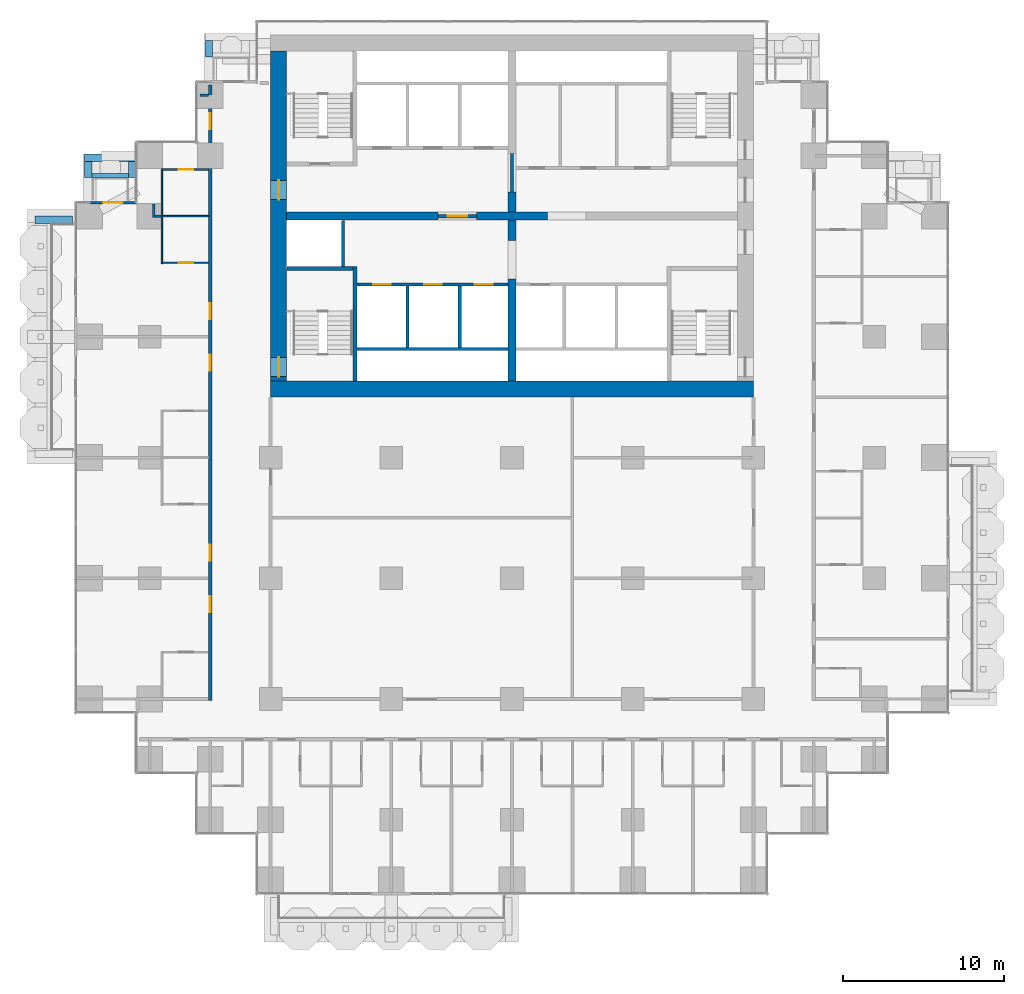
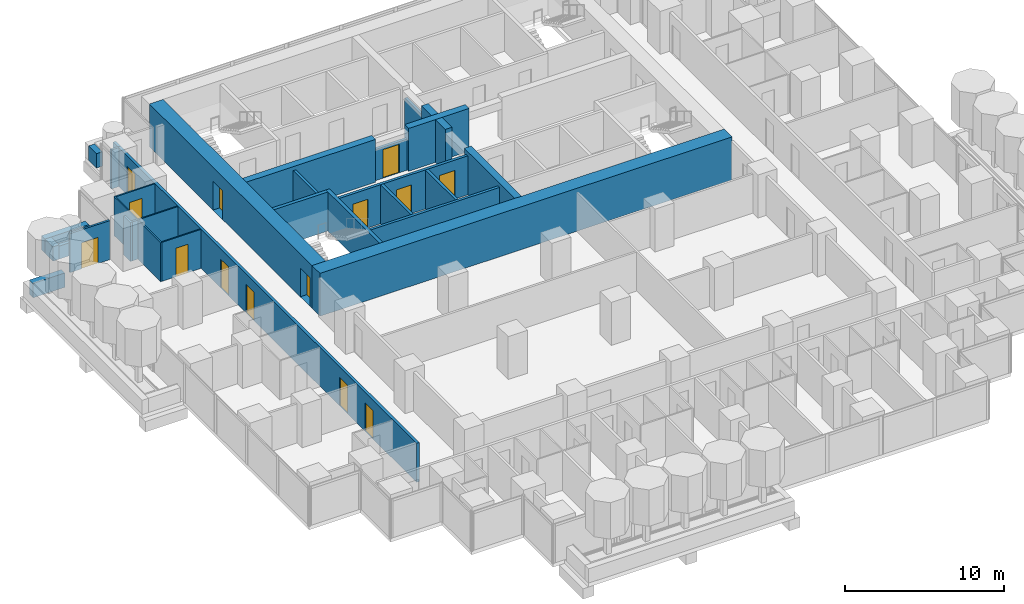
# One storey, part 12 of 17: 32 walls, 14 doors, 14 openings.
"""IFC4 building model written with IfcOpenShell, lengths in metres."""

from ifc_helpers import new_model, si_unit, direction, frame, frame_2d, origin, place, context, subcontext, project, spatial, rectangle, extrude, material, layer, layer_set, type_object, element, fill, save


model = new_model("IFC4")

# Units and contexts
model_context = context("Model", 3, precision=1e-05, world=origin(), true_north=direction((0.0, 1.0)))
body_context = subcontext(model_context, "Body", "Model", "MODEL_VIEW")
ifc_project = project(units=[si_unit("LENGTHUNIT", "METRE"), si_unit("AREAUNIT", "SQUARE_METRE"), si_unit("VOLUMEUNIT", "CUBIC_METRE"), si_unit("PLANEANGLEUNIT", "RADIAN"), si_unit("MASSUNIT", "GRAM", prefix="KILO")], contexts=[model_context])

# Site, building, storey
site_placement = place(None, origin())
site = spatial("IfcSite", under=ifc_project, at=site_placement, CompositionType="ELEMENT")
building_placement = place(site_placement, origin())
building = spatial("IfcBuilding", under=site, at=building_placement, Name="Pilkhan Gate Tower", CompositionType="ELEMENT")
storey_placement = place(building_placement, frame((0.0, 0.0, 49.39990234375)))
storey = spatial("IfcBuildingStorey", under=building, at=storey_placement, Name="L09", CompositionType="ELEMENT", Elevation=49.39990234375)

# Walls
ifc_material_1 = material(Name="Concrete C40/50", Category="concrete")
ifc_layer_1 = layer(ifc_material_1, 0.25)
ifc_layer_set_1 = layer_set([ifc_layer_1], Name="Balcony planter BP250")
wall_type_1 = type_object("IfcWallType", Name="Balcony planter BP250", PredefinedType="USERDEFINED", material=ifc_layer_set_1)
wall_1_placement = place(storey_placement, frame((48.89990234375, 85.02490234375, 0.0), z_axis=(0.0, 0.0, 1.0), x_axis=(1.0, 0.0, 0.0)))
element("IfcWall", 1, at=wall_1_placement, inside=storey, type_object=wall_type_1, Name="Balcony planter L09 N", ObjectType="BALCONY PLANTER", PredefinedType="USERDEFINED", context=body_context, shape_type="SweptSolid", body=[
    extrude(rectangle(XDim=2.280029296875, YDim=0.25, at=frame_2d((1.14013671875, 0.0))), origin(), (0.0, 0.0, 1.0), 1.0),
])
ifc_material_2 = material(Name="Board-marked Concrete C40/50", Category="concrete")
ifc_layer_2 = layer(ifc_material_2, 0.449951171875)
ifc_layer_set_2 = layer_set([ifc_layer_2], Name="Balcony planter lip BL450")
wall_type_2 = type_object("IfcWallType", Name="Balcony planter lip BL450", PredefinedType="USERDEFINED", material=ifc_layer_set_2)
wall_2_placement = place(storey_placement, frame((56.175048828125, 92.39990234375, 0.0), z_axis=(0.0, 0.0, 1.0), x_axis=(0.0, 1.0, 0.0)))
element("IfcWall", 2, at=wall_2_placement, inside=storey, type_object=wall_type_2, Name="Balcony planter L09 N", ObjectType="BALCONY PLANTER", PredefinedType="USERDEFINED", context=body_context, shape_type="SweptSolid", body=[
    extrude(rectangle(XDim=1.0, YDim=0.449951171875, at=frame_2d((0.5, 0.0))), origin(), (0.0, 0.0, 1.0), 1.10009765625),
])
wall_3_placement = place(storey_placement, frame((48.449951171875, 86.125, 0.0), z_axis=(0.0, 0.0, 1.0), x_axis=(1.0, 0.0, 0.0)))
element("IfcWall", 3, at=wall_3_placement, inside=storey, type_object=wall_type_2, Name="Balcony planter L09 N", ObjectType="BALCONY PLANTER", PredefinedType="USERDEFINED", context=body_context, shape_type="SweptSolid", body=[
    extrude(rectangle(XDim=3.179931640625, YDim=0.449951171875, at=frame_2d((1.58984375, 0.0))), origin(), (0.0, 0.0, 1.0), 1.10009765625),
])
for number, where, z_axis, x_axis, name in (
    (4, (48.675048828125, 84.89990234375, 0.0), (0.0, 0.0, 1.0), (0.0, 1.0, 0.0), "Balcony planter L09 N"),
    (5, (51.405029296875, 84.89990234375, 0.0), (0.0, 0.0, 1.0), (0.0, 1.0, 0.0), "Balcony planter L09 N"),
):
    element("IfcWall", number, at=place(storey_placement, frame(where, z_axis=z_axis, x_axis=x_axis)), inside=storey, type_object=wall_type_2, Name=name, ObjectType="BALCONY PLANTER", PredefinedType="USERDEFINED", context=body_context, shape_type="SweptSolid", body=[
        extrude(rectangle(XDim=1.0, YDim=0.449951171875, at=frame_2d((0.5, 0.0))), origin(), (0.0, 0.0, 1.0), 1.10009765625),
    ])
wall_4_placement = place(storey_placement, frame((47.679931640625, 82.27490234375, 0.0), z_axis=(0.0, 0.0, 1.0), x_axis=(-1.0, 0.0, 0.0)))
element("IfcWall", 6, at=wall_4_placement, inside=storey, type_object=wall_type_2, Name="Balcony planter L09 W", ObjectType="BALCONY PLANTER", PredefinedType="USERDEFINED", context=body_context, shape_type="SweptSolid", body=[
    extrude(rectangle(XDim=2.329833984375, YDim=0.449951171875, at=frame_2d((1.1650390625, 0.0))), origin(), (0.0, 0.0, 1.0), 1.10009765625),
])
ifc_material_3 = material(Name="Concrete C70/85", Category="concrete")
ifc_layer_3 = layer(ifc_material_3, 1.0)
ifc_layer_set_3 = layer_set([ifc_layer_3], Name="Core wall CW1000 C70/85")
wall_type_3 = type_object("IfcWallType", Name="Core wall CW1000 C70/85", PredefinedType="SHEAR", material=ifc_layer_set_3)
wall_5_placement = place(storey_placement, frame((60.0, 71.75, 0.0), z_axis=(0.0, 0.0, 1.0), x_axis=(1.0, 0.0, 0.0)))
element("IfcWall", 7, at=wall_5_placement, inside=storey, type_object=wall_type_3, Name="Core wall S L09", PredefinedType="SHEAR", context=body_context, shape_type="SweptSolid", body=[
    extrude(rectangle(XDim=30.0, YDim=1.0, at=frame_2d((15.0, 0.0))), origin(), (0.0, 0.0, 1.0), 3.300048828125),
])

# Wall, openings, doors
wall_6_placement = place(storey_placement, frame((60.5, 92.75, 0.0), z_axis=(0.0, 0.0, 1.0), x_axis=(0.0, -1.0, 0.0)))
wall_6 = element("IfcWall", 8, at=wall_6_placement, inside=storey, type_object=wall_type_3, Name="Core wall W L09", PredefinedType="SHEAR", context=body_context, shape_type="SweptSolid", body=[
    extrude(rectangle(XDim=20.5, YDim=1.0, at=frame_2d((10.25, 0.0))), origin(), (0.0, 0.0, 1.0), 3.300048828125),
])
opening_1_placement = place(wall_6_placement, frame((19.02490234375, 0.0, 0.0)))
opening_1 = element("IfcOpeningElement", 9, at=opening_1_placement, cuts=wall_6, Name="Opening L09-04", PredefinedType="OPENING", context=body_context, shape_type="SweptSolid", body=[
    extrude(rectangle(XDim=1.199951171875, YDim=2.199951171875, at=frame_2d((0.60009765625, 1.10009765625))), frame((0.0, 0.510009765625, 0.0), z_axis=(0.0, -1.0, 0.0), x_axis=(1.0, 0.0, 0.0)), (0.0, 0.0, 1.0), 1.02001953125),
])
opening_2_placement = place(wall_6_placement, frame((8.02490234375, 0.0, 0.0)))
opening_2 = element("IfcOpeningElement", 10, at=opening_2_placement, cuts=wall_6, Name="Opening L09-47", PredefinedType="OPENING", context=body_context, shape_type="SweptSolid", body=[
    extrude(rectangle(XDim=1.199951171875, YDim=2.199951171875, at=frame_2d((0.60009765625, 1.10009765625))), frame((0.0, 0.510009765625, 0.0), z_axis=(0.0, -1.0, 0.0), x_axis=(1.0, 0.0, 0.0)), (0.0, 0.0, 1.0), 1.02001953125),
])
ifc_material_4 = material(Name="Steel door, 120 minute fire resisting, self-closing", Category="steel")
door_type_1 = type_object("IfcDoorType", Name="Firefighting lobby door D10 1200x2200", OperationType="SINGLE_SWING_LEFT", PredefinedType="DOOR", material=ifc_material_4)
door_1_placement = place(opening_2_placement, origin())
door_1 = element("IfcDoor", 11, at=door_1_placement, inside=storey, type_object=door_type_1, Name="Core door", OperationType="SINGLE_SWING_LEFT", OverallHeight=2.199951171875, OverallWidth=1.199951171875, PredefinedType="DOOR", context=body_context, shape_type="SweptSolid", body=[
    extrude(rectangle(XDim=1.199951171875, YDim=2.199951171875, at=frame_2d((0.60009765625, 1.10009765625))), frame((0.0, 0.02490234375, 0.0), z_axis=(0.0, -1.0, 0.0), x_axis=(1.0, 0.0, 0.0)), (0.0, 0.0, 1.0), 0.050048828125),
])
fill(opening_2, door_1)
ifc_material_5 = material(Name="Steel door, 120 minute fire resisting, panic bar", Category="steel")
door_type_2 = type_object("IfcDoorType", Name="Stair door D11 1200x2200", OperationType="SINGLE_SWING_LEFT", PredefinedType="DOOR", material=ifc_material_5)
door_2_placement = place(opening_1_placement, origin())
door_2 = element("IfcDoor", 12, at=door_2_placement, inside=storey, type_object=door_type_2, Name="Stair ST2 door", OperationType="SINGLE_SWING_LEFT", OverallHeight=2.199951171875, OverallWidth=1.199951171875, PredefinedType="DOOR", context=body_context, shape_type="SweptSolid", body=[
    extrude(rectangle(XDim=1.199951171875, YDim=2.199951171875, at=frame_2d((0.60009765625, 1.10009765625))), frame((0.0, 0.02490234375, 0.0), z_axis=(0.0, -1.0, 0.0), x_axis=(1.0, 0.0, 0.0)), (0.0, 0.0, 1.0), 0.050048828125),
])
fill(opening_1, door_2)

ifc_material_6 = material(Name="Dense blockwork", Category="masonry")
ifc_layer_4 = layer(ifc_material_6, 0.199951171875)
ifc_layer_set_4 = layer_set([ifc_layer_4], Name="Corridor wall FW200")
wall_type_4 = type_object("IfcWallType", Name="Corridor wall FW200", PredefinedType="PARTITIONING", material=ifc_layer_set_4)
wall_7_placement = place(storey_placement, frame((56.25, 52.39990234375, 0.0), z_axis=(0.0, 0.0, 1.0), x_axis=(0.0, 1.0, 0.0)))
wall_7 = element("IfcWall", 13, at=wall_7_placement, inside=storey, type_object=wall_type_4, Name="Partition L09", PredefinedType="PARTITIONING", context=body_context, shape_type="SweptSolid", body=[
    extrude(rectangle(XDim=37.675048828125, YDim=0.199951171875, at=frame_2d((18.83740234375, 0.0))), origin(), (0.0, 0.0, 1.0), 3.0),
])
opening_3_placement = place(wall_7_placement, frame((5.5, 0.0, 0.0)))
opening_3 = element("IfcOpeningElement", 14, at=opening_3_placement, cuts=wall_7, Name="Opening L09-26", PredefinedType="OPENING", context=body_context, shape_type="SweptSolid", body=[
    extrude(rectangle(XDim=1.0, YDim=2.199951171875, at=frame_2d((0.5, 1.10009765625))), frame((0.0, 0.10986328125, 0.0), z_axis=(0.0, -1.0, 0.0), x_axis=(1.0, 0.0, 0.0)), (0.0, 0.0, 1.0), 0.219970703125),
])
opening_4_placement = place(wall_7_placement, frame((8.699951171875, 0.0, 0.0)))
opening_4 = element("IfcOpeningElement", 15, at=opening_4_placement, cuts=wall_7, Name="Opening L09-28", PredefinedType="OPENING", context=body_context, shape_type="SweptSolid", body=[
    extrude(rectangle(XDim=1.0, YDim=2.199951171875, at=frame_2d((0.5, 1.10009765625))), frame((0.0, 0.10986328125, 0.0), z_axis=(0.0, -1.0, 0.0), x_axis=(1.0, 0.0, 0.0)), (0.0, 0.0, 1.0), 0.219970703125),
])
opening_5_placement = place(wall_7_placement, frame((20.5, 0.0, 0.0)))
opening_5 = element("IfcOpeningElement", 16, at=opening_5_placement, cuts=wall_7, Name="Opening L09-30", PredefinedType="OPENING", context=body_context, shape_type="SweptSolid", body=[
    extrude(rectangle(XDim=1.0, YDim=2.199951171875, at=frame_2d((0.5, 1.10009765625))), frame((0.0, 0.10986328125, 0.0), z_axis=(0.0, -1.0, 0.0), x_axis=(1.0, 0.0, 0.0)), (0.0, 0.0, 1.0), 0.219970703125),
])
opening_6_placement = place(wall_7_placement, frame((23.699951171875, 0.0, 0.0)))
opening_6 = element("IfcOpeningElement", 17, at=opening_6_placement, cuts=wall_7, Name="Opening L09-32", PredefinedType="OPENING", context=body_context, shape_type="SweptSolid", body=[
    extrude(rectangle(XDim=1.0, YDim=2.199951171875, at=frame_2d((0.5, 1.10009765625))), frame((0.0, 0.10986328125, 0.0), z_axis=(0.0, -1.0, 0.0), x_axis=(1.0, 0.0, 0.0)), (0.0, 0.0, 1.0), 0.219970703125),
])
opening_7_placement = place(wall_7_placement, frame((35.5, 0.0, 0.0)))
opening_7 = element("IfcOpeningElement", 18, at=opening_7_placement, cuts=wall_7, Name="Opening L09-34", PredefinedType="OPENING", context=body_context, shape_type="SweptSolid", body=[
    extrude(rectangle(XDim=1.0, YDim=2.199951171875, at=frame_2d((0.5, 1.10009765625))), frame((0.0, 0.10986328125, 0.0), z_axis=(0.0, -1.0, 0.0), x_axis=(1.0, 0.0, 0.0)), (0.0, 0.0, 1.0), 0.219970703125),
])
ifc_material_7 = material(Name="Timber flush door, 30 minute fire resisting", Category="wood")
door_type_3 = type_object("IfcDoorType", Name="Guest room door D01 1000x2200", OperationType="SINGLE_SWING_LEFT", PredefinedType="DOOR", material=ifc_material_7)
door_3_placement = place(opening_3_placement, origin())
door_3 = element("IfcDoor", 19, at=door_3_placement, inside=storey, type_object=door_type_3, Name="Guest room door", OperationType="SINGLE_SWING_LEFT", OverallHeight=2.199951171875, OverallWidth=1.0, PredefinedType="DOOR", context=body_context, shape_type="SweptSolid", body=[
    extrude(rectangle(XDim=1.0, YDim=2.199951171875, at=frame_2d((0.5, 1.10009765625))), frame((0.0, 0.02490234375, 0.0), z_axis=(0.0, -1.0, 0.0), x_axis=(1.0, 0.0, 0.0)), (0.0, 0.0, 1.0), 0.050048828125),
])
fill(opening_3, door_3)
door_4_placement = place(opening_4_placement, origin())
door_4 = element("IfcDoor", 20, at=door_4_placement, inside=storey, type_object=door_type_3, Name="Guest room door", OperationType="SINGLE_SWING_LEFT", OverallHeight=2.199951171875, OverallWidth=1.0, PredefinedType="DOOR", context=body_context, shape_type="SweptSolid", body=[
    extrude(rectangle(XDim=1.0, YDim=2.199951171875, at=frame_2d((0.5, 1.10009765625))), frame((0.0, 0.02490234375, 0.0), z_axis=(0.0, -1.0, 0.0), x_axis=(1.0, 0.0, 0.0)), (0.0, 0.0, 1.0), 0.050048828125),
])
fill(opening_4, door_4)
door_5_placement = place(opening_5_placement, origin())
door_5 = element("IfcDoor", 21, at=door_5_placement, inside=storey, type_object=door_type_3, Name="Guest room door", OperationType="SINGLE_SWING_RIGHT", OverallHeight=2.199951171875, OverallWidth=1.0, PredefinedType="DOOR", context=body_context, shape_type="SweptSolid", body=[
    extrude(rectangle(XDim=1.0, YDim=2.199951171875, at=frame_2d((0.5, 1.10009765625))), frame((0.0, 0.02490234375, 0.0), z_axis=(0.0, -1.0, 0.0), x_axis=(1.0, 0.0, 0.0)), (0.0, 0.0, 1.0), 0.050048828125),
])
fill(opening_5, door_5)
door_6_placement = place(opening_6_placement, origin())
door_6 = element("IfcDoor", 22, at=door_6_placement, inside=storey, type_object=door_type_3, Name="Guest room door", OperationType="SINGLE_SWING_LEFT", OverallHeight=2.199951171875, OverallWidth=1.0, PredefinedType="DOOR", context=body_context, shape_type="SweptSolid", body=[
    extrude(rectangle(XDim=1.0, YDim=2.199951171875, at=frame_2d((0.5, 1.10009765625))), frame((0.0, 0.02490234375, 0.0), z_axis=(0.0, -1.0, 0.0), x_axis=(1.0, 0.0, 0.0)), (0.0, 0.0, 1.0), 0.050048828125),
])
fill(opening_6, door_6)
door_7_placement = place(opening_7_placement, origin())
door_7 = element("IfcDoor", 23, at=door_7_placement, inside=storey, type_object=door_type_3, Name="Guest room door", OperationType="SINGLE_SWING_RIGHT", OverallHeight=2.199951171875, OverallWidth=1.0, PredefinedType="DOOR", context=body_context, shape_type="SweptSolid", body=[
    extrude(rectangle(XDim=1.0, YDim=2.199951171875, at=frame_2d((0.5, 1.10009765625))), frame((0.0, 0.02490234375, 0.0), z_axis=(0.0, -1.0, 0.0), x_axis=(1.0, 0.0, 0.0)), (0.0, 0.0, 1.0), 0.050048828125),
])
fill(opening_7, door_7)

# Wall
wall_8_placement = place(storey_placement, frame((56.25, 90.030029296875, 0.0), z_axis=(0.0, 0.0, 1.0), x_axis=(0.0, 1.0, 0.0)))
element("IfcWall", 24, at=wall_8_placement, inside=storey, type_object=wall_type_4, Name="Partition L09", PredefinedType="PARTITIONING", context=body_context, shape_type="SweptSolid", body=[
    extrude(rectangle(XDim=0.614990234375, YDim=0.199951171875, at=frame_2d((0.3076171875, 0.0))), origin(), (0.0, 0.0, 1.0), 3.0),
])

# Wall, opening, door
ifc_material_8 = material(Name="Pale anodised aluminium, clear laminated glazing", Category="aluminium")
ifc_layer_5 = layer(ifc_material_8, 0.14990234375)
ifc_layer_set_5 = layer_set([ifc_layer_5], Name="Facade infill wall IW150")
wall_type_5 = type_object("IfcWallType", Name="Facade infill wall IW150", PredefinedType="SOLIDWALL", material=ifc_layer_set_5)
wall_9_placement = place(storey_placement, frame((48.75, 83.344970703125, 0.0), z_axis=(0.0, 0.0, 1.0), x_axis=(1.0, 0.0, 0.0)))
wall_9 = element("IfcWall", 25, at=wall_9_placement, inside=storey, type_object=wall_type_5, Name="Infill wall L09 N", PredefinedType="SOLIDWALL", context=body_context, shape_type="SweptSolid", body=[
    extrude(rectangle(XDim=2.905029296875, YDim=0.14990234375, at=frame_2d((1.45263671875, 0.0))), origin(), (0.0, 0.0, 1.0), 3.0),
])
opening_8_placement = place(wall_9_placement, frame((0.8525390625, 0.0, 0.0)))
opening_8 = element("IfcOpeningElement", 26, at=opening_8_placement, cuts=wall_9, Name="Opening D1L", PredefinedType="OPENING", context=body_context, shape_type="SweptSolid", body=[
    extrude(rectangle(XDim=1.199951171875, YDim=2.0, at=frame_2d((0.60009765625, 1.0))), frame((0.0, 0.0849609375, 0.0), z_axis=(0.0, -1.0, 0.0), x_axis=(1.0, 0.0, 0.0)), (0.0, 0.0, 1.0), 0.169921875),
])
ifc_material_9 = material(Name="Pale anodised aluminium, clear glazing", Category="aluminium")
door_type_4 = type_object("IfcDoorType", Name="Balcony door D1L 1200x2000", OperationType="SINGLE_SWING_LEFT", PredefinedType="DOOR", material=ifc_material_9)
door_8_placement = place(opening_8_placement, origin())
door_8 = element("IfcDoor", 27, at=door_8_placement, inside=storey, type_object=door_type_4, Name="Balcony door L09", OperationType="SINGLE_SWING_LEFT", OverallHeight=2.0, OverallWidth=1.199951171875, PredefinedType="DOOR", context=body_context, shape_type="SweptSolid", body=[
    extrude(rectangle(XDim=1.199951171875, YDim=2.0, at=frame_2d((0.60009765625, 1.0))), frame((0.0, 0.02490234375, 0.0), z_axis=(0.0, -1.0, 0.0), x_axis=(1.0, 0.0, 0.0)), (0.0, 0.0, 1.0), 0.050048828125),
])
fill(opening_8, door_8)

ifc_layer_6 = layer(ifc_material_6, 0.199951171875)
ifc_layer_set_6 = layer_set([ifc_layer_6], Name="Lobby wall LW200")
wall_type_6 = type_object("IfcWallType", Name="Lobby wall LW200", PredefinedType="PARTITIONING", material=ifc_layer_set_6)
wall_10_placement = place(storey_placement, frame((70.409912109375, 82.5, 0.0), z_axis=(0.0, 0.0, 1.0), x_axis=(1.0, 0.0, 0.0)))
wall_10 = element("IfcWall", 28, at=wall_10_placement, inside=storey, type_object=wall_type_6, Name="Partition L09", PredefinedType="PARTITIONING", context=body_context, shape_type="SweptSolid", body=[
    extrude(rectangle(XDim=2.380126953125, YDim=0.199951171875, at=frame_2d((1.18994140625, 0.0))), origin(), (0.0, 0.0, 1.0), 2.400146484375),
])
opening_9_placement = place(wall_10_placement, frame((0.60009765625, 0.0, 0.0)))
opening_9 = element("IfcOpeningElement", 29, at=opening_9_placement, cuts=wall_10, Name="Opening L09-01", PredefinedType="OPENING", context=body_context, shape_type="SweptSolid", body=[
    extrude(rectangle(XDim=1.199951171875, YDim=2.199951171875, at=frame_2d((0.60009765625, 1.10009765625))), frame((0.0, 0.10986328125, 0.0), z_axis=(0.0, -1.0, 0.0), x_axis=(1.0, 0.0, 0.0)), (0.0, 0.0, 1.0), 0.219970703125),
])
door_9_placement = place(opening_9_placement, origin())
door_9 = element("IfcDoor", 30, at=door_9_placement, inside=storey, type_object=door_type_1, Name="Firefighting lobby door", OperationType="SINGLE_SWING_RIGHT", OverallHeight=2.199951171875, OverallWidth=1.199951171875, PredefinedType="DOOR", context=body_context, shape_type="SweptSolid", body=[
    extrude(rectangle(XDim=1.199951171875, YDim=2.199951171875, at=frame_2d((0.60009765625, 1.10009765625))), frame((0.0, 0.02490234375, 0.0), z_axis=(0.0, -1.0, 0.0), x_axis=(1.0, 0.0, 0.0)), (0.0, 0.0, 1.0), 0.050048828125),
])
fill(opening_9, door_9)

# Walls
wall_11_placement = place(storey_placement, frame((75.0, 84.010009765625, 0.0), z_axis=(0.0, 0.0, 1.0), x_axis=(0.0, 1.0, 0.0)))
element("IfcWall", 31, at=wall_11_placement, inside=storey, type_object=wall_type_6, Name="Partition L09", PredefinedType="PARTITIONING", context=body_context, shape_type="SweptSolid", body=[
    extrude(rectangle(XDim=2.3798828125, YDim=0.199951171875, at=frame_2d((1.18994140625, 0.0))), origin(), (0.0, 0.0, 1.0), 2.400146484375),
])
ifc_material_10 = material(Name="Blockwork partition, plastered both sides", Category="masonry")
ifc_layer_7 = layer(ifc_material_10, 0.14990234375)
ifc_layer_set_7 = layer_set([ifc_layer_7], Name="Partition PW150")
wall_type_7 = type_object("IfcWallType", Name="Partition PW150", PredefinedType="PARTITIONING", material=ifc_layer_set_7)
wall_12_placement = place(storey_placement, frame((52.81005859375, 82.5, 0.0), z_axis=(0.0, 0.0, 1.0), x_axis=(1.0, 0.0, 0.0)))
element("IfcWall", 32, at=wall_12_placement, inside=storey, type_object=wall_type_7, Name="Partition L09", PredefinedType="PARTITIONING", context=body_context, shape_type="SweptSolid", body=[
    extrude(rectangle(XDim=0.389892578125, YDim=0.14990234375, at=frame_2d((0.19482421875, 0.0))), origin(), (0.0, 0.0, 1.0), 3.0),
])
wall_13_placement = place(storey_placement, frame((55.60498046875, 90.0, 0.0), z_axis=(0.0, 0.0, 1.0), x_axis=(1.0, 0.0, 0.0)))
element("IfcWall", 33, at=wall_13_placement, inside=storey, type_object=wall_type_7, Name="Partition L09", PredefinedType="PARTITIONING", context=body_context, shape_type="SweptSolid", body=[
    extrude(rectangle(XDim=0.544921875, YDim=0.14990234375, at=frame_2d((0.2724609375, 0.0))), origin(), (0.0, 0.0, 1.0), 3.0),
])
wall_14_placement = place(storey_placement, frame((52.735107421875, 82.425048828125, 0.0), z_axis=(0.0, 0.0, 1.0), x_axis=(0.0, 1.0, 0.0)))
element("IfcWall", 34, at=wall_14_placement, inside=storey, type_object=wall_type_7, Name="Partition L09", PredefinedType="PARTITIONING", context=body_context, shape_type="SweptSolid", body=[
    extrude(rectangle(XDim=0.83984375, YDim=0.14990234375, at=frame_2d((0.419921875, 0.0))), origin(), (0.0, 0.0, 1.0), 3.0),
])
ifc_material_11 = material(Name="Reinforced blockwork shaft wall, 120 minute fire resisting", Category="masonry")
ifc_layer_8 = layer(ifc_material_11, 0.199951171875)
ifc_layer_set_8 = layer_set([ifc_layer_8], Name="Shaft wall SW200")
wall_type_8 = type_object("IfcWallType", Name="Shaft wall SW200", PredefinedType="PARTITIONING", material=ifc_layer_set_8)
wall_15_placement = place(storey_placement, frame((65.375, 74.25, 0.0), z_axis=(0.0, 0.0, 1.0), x_axis=(1.0, 0.0, 0.0)))
element("IfcWall", 35, at=wall_15_placement, inside=storey, type_object=wall_type_8, Name="Partition L09", PredefinedType="PARTITIONING", context=body_context, shape_type="SweptSolid", body=[
    extrude(rectangle(XDim=9.364990234375, YDim=0.199951171875, at=frame_2d((4.6826171875, 0.0))), origin(), (0.0, 0.0, 1.0), 3.0),
])

# Wall, openings, doors
wall_16_placement = place(storey_placement, frame((65.375, 78.25, 0.0), z_axis=(0.0, 0.0, 1.0), x_axis=(1.0, 0.0, 0.0)))
wall_16 = element("IfcWall", 36, at=wall_16_placement, inside=storey, type_object=wall_type_8, Name="Partition L09", PredefinedType="PARTITIONING", context=body_context, shape_type="SweptSolid", body=[
    extrude(rectangle(XDim=9.364990234375, YDim=0.199951171875, at=frame_2d((4.6826171875, 0.0))), origin(), (0.0, 0.0, 1.0), 3.0),
])
opening_10_placement = place(wall_16_placement, frame((1.0, 0.0, 0.0)))
opening_10 = element("IfcOpeningElement", 37, at=opening_10_placement, cuts=wall_16, Name="Opening LD", PredefinedType="OPENING", context=body_context, shape_type="SweptSolid", body=[
    extrude(rectangle(XDim=1.10009765625, YDim=2.199951171875, at=frame_2d((0.550048828125, 1.10009765625))), frame((0.0, 0.10986328125, 0.0), z_axis=(0.0, -1.0, 0.0), x_axis=(1.0, 0.0, 0.0)), (0.0, 0.0, 1.0), 0.219970703125),
])
opening_11_placement = place(wall_16_placement, frame((4.175048828125, 0.0, 0.0)))
opening_11 = element("IfcOpeningElement", 38, at=opening_11_placement, cuts=wall_16, Name="Opening LD", PredefinedType="OPENING", context=body_context, shape_type="SweptSolid", body=[
    extrude(rectangle(XDim=1.10009765625, YDim=2.199951171875, at=frame_2d((0.550048828125, 1.10009765625))), frame((0.0, 0.10986328125, 0.0), z_axis=(0.0, -1.0, 0.0), x_axis=(1.0, 0.0, 0.0)), (0.0, 0.0, 1.0), 0.219970703125),
])
opening_12_placement = place(wall_16_placement, frame((7.324951171875, 0.0, 0.0)))
opening_12 = element("IfcOpeningElement", 39, at=opening_12_placement, cuts=wall_16, Name="Opening LD", PredefinedType="OPENING", context=body_context, shape_type="SweptSolid", body=[
    extrude(rectangle(XDim=1.10009765625, YDim=2.199951171875, at=frame_2d((0.550048828125, 1.10009765625))), frame((0.0, 0.10986328125, 0.0), z_axis=(0.0, -1.0, 0.0), x_axis=(1.0, 0.0, 0.0)), (0.0, 0.0, 1.0), 0.219970703125),
])
ifc_material_12 = material(Name="Stainless steel centre-opening landing door, 120 minute fire resisting", Category="steel")
door_type_5 = type_object("IfcDoorType", Name="Lift landing door LD 1100x2200", OperationType="DOUBLE_DOOR_SLIDING", PredefinedType="DOOR", material=ifc_material_12)
door_10_placement = place(opening_10_placement, origin())
door_10 = element("IfcDoor", 40, at=door_10_placement, inside=storey, type_object=door_type_5, Name="Landing door LR1", OperationType="DOUBLE_DOOR_SLIDING", OverallHeight=2.199951171875, OverallWidth=1.10009765625, PredefinedType="DOOR", context=body_context, shape_type="SweptSolid", body=[
    extrude(rectangle(XDim=1.10009765625, YDim=2.199951171875, at=frame_2d((0.550048828125, 1.10009765625))), frame((0.0, 0.02490234375, 0.0), z_axis=(0.0, -1.0, 0.0), x_axis=(1.0, 0.0, 0.0)), (0.0, 0.0, 1.0), 0.050048828125),
])
fill(opening_10, door_10)
door_11_placement = place(opening_11_placement, origin())
door_11 = element("IfcDoor", 41, at=door_11_placement, inside=storey, type_object=door_type_5, Name="Landing door LR2", OperationType="DOUBLE_DOOR_SLIDING", OverallHeight=2.199951171875, OverallWidth=1.10009765625, PredefinedType="DOOR", context=body_context, shape_type="SweptSolid", body=[
    extrude(rectangle(XDim=1.10009765625, YDim=2.199951171875, at=frame_2d((0.550048828125, 1.10009765625))), frame((0.0, 0.02490234375, 0.0), z_axis=(0.0, -1.0, 0.0), x_axis=(1.0, 0.0, 0.0)), (0.0, 0.0, 1.0), 0.050048828125),
])
fill(opening_11, door_11)
door_12_placement = place(opening_12_placement, origin())
door_12 = element("IfcDoor", 42, at=door_12_placement, inside=storey, type_object=door_type_5, Name="Landing door LR3", OperationType="DOUBLE_DOOR_SLIDING", OverallHeight=2.199951171875, OverallWidth=1.10009765625, PredefinedType="DOOR", context=body_context, shape_type="SweptSolid", body=[
    extrude(rectangle(XDim=1.10009765625, YDim=2.199951171875, at=frame_2d((0.550048828125, 1.10009765625))), frame((0.0, 0.02490234375, 0.0), z_axis=(0.0, -1.0, 0.0), x_axis=(1.0, 0.0, 0.0)), (0.0, 0.0, 1.0), 0.050048828125),
])
fill(opening_12, door_12)

# Walls
wall_17_placement = place(storey_placement, frame((64.5, 79.375, 0.0), z_axis=(0.0, 0.0, 1.0), x_axis=(0.0, 1.0, 0.0)))
element("IfcWall", 43, at=wall_17_placement, inside=storey, type_object=wall_type_8, Name="Partition L09", PredefinedType="PARTITIONING", context=body_context, shape_type="SweptSolid", body=[
    extrude(rectangle(XDim=2.864990234375, YDim=0.199951171875, at=frame_2d((1.4326171875, 0.0))), origin(), (0.0, 0.0, 1.0), 3.0),
])
for number, where, z_axis, x_axis, name in (
    (44, (68.5, 74.35009765625, 0.0), (0.0, 0.0, 1.0), (0.0, 1.0, 0.0), "Partition L09"),
    (45, (71.75, 74.35009765625, 0.0), (0.0, 0.0, 1.0), (0.0, 1.0, 0.0), "Partition L09"),
):
    element("IfcWall", number, at=place(storey_placement, frame(where, z_axis=z_axis, x_axis=x_axis)), inside=storey, type_object=wall_type_8, Name=name, PredefinedType="PARTITIONING", context=body_context, shape_type="SweptSolid", body=[
        extrude(rectangle(XDim=3.7998046875, YDim=0.199951171875, at=frame_2d((1.89990234375, 0.0))), origin(), (0.0, 0.0, 1.0), 3.0),
    ])
ifc_layer_9 = layer(ifc_material_3, 0.5)
ifc_layer_set_9 = layer_set([ifc_layer_9], Name="Spine wall SW500 C70/85")
wall_type_9 = type_object("IfcWallType", Name="Spine wall SW500 C70/85", PredefinedType="SHEAR", material=ifc_layer_set_9)
wall_18_placement = place(storey_placement, frame((61.0, 82.5, 0.0), z_axis=(0.0, 0.0, 1.0), x_axis=(1.0, 0.0, 0.0)))
element("IfcWall", 46, at=wall_18_placement, inside=storey, type_object=wall_type_9, Name="Spine wall SP-EW1 L09", PredefinedType="SHEAR", context=body_context, shape_type="SweptSolid", body=[
    extrude(rectangle(XDim=9.39990234375, YDim=0.5, at=frame_2d((4.699951171875, 0.0))), origin(), (0.0, 0.0, 1.0), 3.300048828125),
])
wall_19_placement = place(storey_placement, frame((72.800048828125, 82.5, 0.0), z_axis=(0.0, 0.0, 1.0), x_axis=(1.0, 0.0, 0.0)))
element("IfcWall", 47, at=wall_19_placement, inside=storey, type_object=wall_type_9, Name="Spine wall SP-EW2 L09", PredefinedType="SHEAR", context=body_context, shape_type="SweptSolid", body=[
    extrude(rectangle(XDim=4.39990234375, YDim=0.5, at=frame_2d((2.199951171875, 0.0))), origin(), (0.0, 0.0, 1.0), 3.300048828125),
])
wall_20_placement = place(storey_placement, frame((75.0, 72.25, 0.0), z_axis=(0.0, 0.0, 1.0), x_axis=(0.0, 1.0, 0.0)))
element("IfcWall", 48, at=wall_20_placement, inside=storey, type_object=wall_type_9, Name="Spine wall SP-NS-S1 L09", PredefinedType="SHEAR", context=body_context, shape_type="SweptSolid", body=[
    extrude(rectangle(XDim=6.35009765625, YDim=0.5, at=frame_2d((3.175048828125, 0.0))), origin(), (0.0, 0.0, 1.0), 3.300048828125),
])
for number, where, z_axis, x_axis, name in (
    (49, (75.0, 81.0, 0.0), (0.0, 0.0, 1.0), (0.0, 1.0, 0.0), "Spine wall SP-NS-S2 L09"),
    (50, (75.0, 82.75, 0.0), (0.0, 0.0, 1.0), (0.0, 1.0, 0.0), "Spine wall SP-NS-N1 L09"),
):
    element("IfcWall", number, at=place(storey_placement, frame(where, z_axis=z_axis, x_axis=x_axis)), inside=storey, type_object=wall_type_9, Name=name, PredefinedType="SHEAR", context=body_context, shape_type="SweptSolid", body=[
        extrude(rectangle(XDim=1.25, YDim=0.5, at=frame_2d((0.625, 0.0))), origin(), (0.0, 0.0, 1.0), 3.300048828125),
    ])
ifc_material_13 = material(Name="Reinforced blockwork, 120 minute fire resisting", Category="masonry")
ifc_layer_10 = layer(ifc_material_13, 0.25)
ifc_layer_set_10 = layer_set([ifc_layer_10], Name="Stair enclosure wall SE250")
wall_type_10 = type_object("IfcWallType", Name="Stair enclosure wall SE250", PredefinedType="PARTITIONING", material=ifc_layer_set_10)
wall_21_placement = place(storey_placement, frame((61.010009765625, 79.25, 0.0), z_axis=(0.0, 0.0, 1.0), x_axis=(1.0, 0.0, 0.0)))
element("IfcWall", 51, at=wall_21_placement, inside=storey, type_object=wall_type_10, Name="Partition L09", PredefinedType="PARTITIONING", context=body_context, shape_type="SweptSolid", body=[
    extrude(rectangle(XDim=4.114990234375, YDim=0.25, at=frame_2d((2.0576171875, 0.0))), origin(), (0.0, 0.0, 1.0), 3.0),
])
wall_22_placement = place(storey_placement, frame((65.25, 72.260009765625, 0.0), z_axis=(0.0, 0.0, 1.0), x_axis=(0.0, 1.0, 0.0)))
element("IfcWall", 52, at=wall_22_placement, inside=storey, type_object=wall_type_10, Name="Partition L09", PredefinedType="PARTITIONING", context=body_context, shape_type="SweptSolid", body=[
    extrude(rectangle(XDim=7.114990234375, YDim=0.25, at=frame_2d((3.5576171875, 0.0))), origin(), (0.0, 0.0, 1.0), 3.0),
])

# Wall, opening, door
ifc_material_14 = material(Name="Moisture resistant board, tiled")
ifc_layer_11 = layer(ifc_material_14, 0.10009765625)
ifc_layer_set_11 = layer_set([ifc_layer_11], Name="Wet wall PW100")
wall_type_11 = type_object("IfcWallType", Name="Wet wall PW100", PredefinedType="PARTITIONING", material=ifc_layer_set_11)
wall_23_placement = place(storey_placement, frame((53.300048828125, 79.60009765625, 0.0), z_axis=(0.0, 0.0, 1.0), x_axis=(1.0, 0.0, 0.0)))
wall_23 = element("IfcWall", 53, at=wall_23_placement, inside=storey, type_object=wall_type_11, Name="Partition L09", PredefinedType="PARTITIONING", context=body_context, shape_type="SweptSolid", body=[
    extrude(rectangle(XDim=2.849853515625, YDim=0.10009765625, at=frame_2d((1.4248046875, 0.0))), origin(), (0.0, 0.0, 1.0), 3.0),
])
opening_13_placement = place(wall_23_placement, frame((1.0, 0.0, 0.0)))
opening_13 = element("IfcOpeningElement", 54, at=opening_13_placement, cuts=wall_23, Name="Opening L09-33", PredefinedType="OPENING", context=body_context, shape_type="SweptSolid", body=[
    extrude(rectangle(XDim=0.89990234375, YDim=2.199951171875, at=frame_2d((0.449951171875, 1.10009765625))), frame((0.0, 0.06005859375, 0.0), z_axis=(0.0, -1.0, 0.0), x_axis=(1.0, 0.0, 0.0)), (0.0, 0.0, 1.0), 0.1201171875),
])
ifc_material_15 = material(Name="Timber flush door", Category="wood")
door_type_6 = type_object("IfcDoorType", Name="Bathroom door D02 900x2200", OperationType="SINGLE_SWING_RIGHT", PredefinedType="DOOR", material=ifc_material_15)
door_13_placement = place(opening_13_placement, origin())
door_13 = element("IfcDoor", 55, at=door_13_placement, inside=storey, type_object=door_type_6, Name="Bathroom door", OperationType="SINGLE_SWING_RIGHT", OverallHeight=2.199951171875, OverallWidth=0.89990234375, PredefinedType="DOOR", context=body_context, shape_type="SweptSolid", body=[
    extrude(rectangle(XDim=0.89990234375, YDim=2.199951171875, at=frame_2d((0.449951171875, 1.10009765625))), frame((0.0, 0.02490234375, 0.0), z_axis=(0.0, -1.0, 0.0), x_axis=(1.0, 0.0, 0.0)), (0.0, 0.0, 1.0), 0.050048828125),
])
fill(opening_13, door_13)

# Wall
wall_24_placement = place(storey_placement, frame((53.300048828125, 82.5, 0.0), z_axis=(0.0, 0.0, 1.0), x_axis=(1.0, 0.0, 0.0)))
element("IfcWall", 56, at=wall_24_placement, inside=storey, type_object=wall_type_11, Name="Partition L09", PredefinedType="PARTITIONING", context=body_context, shape_type="SweptSolid", body=[
    extrude(rectangle(XDim=2.849853515625, YDim=0.10009765625, at=frame_2d((1.4248046875, 0.0))), origin(), (0.0, 0.0, 1.0), 3.0),
])

# Wall, opening, door
wall_25_placement = place(storey_placement, frame((53.300048828125, 85.39990234375, 0.0), z_axis=(0.0, 0.0, 1.0), x_axis=(1.0, 0.0, 0.0)))
wall_25 = element("IfcWall", 57, at=wall_25_placement, inside=storey, type_object=wall_type_11, Name="Partition L09", PredefinedType="PARTITIONING", context=body_context, shape_type="SweptSolid", body=[
    extrude(rectangle(XDim=2.849853515625, YDim=0.10009765625, at=frame_2d((1.4248046875, 0.0))), origin(), (0.0, 0.0, 1.0), 3.0),
])
opening_14_placement = place(wall_25_placement, frame((1.0, 0.0, 0.0)))
opening_14 = element("IfcOpeningElement", 58, at=opening_14_placement, cuts=wall_25, Name="Opening L09-35", PredefinedType="OPENING", context=body_context, shape_type="SweptSolid", body=[
    extrude(rectangle(XDim=0.89990234375, YDim=2.199951171875, at=frame_2d((0.449951171875, 1.10009765625))), frame((0.0, 0.06005859375, 0.0), z_axis=(0.0, -1.0, 0.0), x_axis=(1.0, 0.0, 0.0)), (0.0, 0.0, 1.0), 0.1201171875),
])
door_14_placement = place(opening_14_placement, origin())
door_14 = element("IfcDoor", 59, at=door_14_placement, inside=storey, type_object=door_type_6, Name="Bathroom door", OperationType="SINGLE_SWING_RIGHT", OverallHeight=2.199951171875, OverallWidth=0.89990234375, PredefinedType="DOOR", context=body_context, shape_type="SweptSolid", body=[
    extrude(rectangle(XDim=0.89990234375, YDim=2.199951171875, at=frame_2d((0.449951171875, 1.10009765625))), frame((0.0, 0.02490234375, 0.0), z_axis=(0.0, -1.0, 0.0), x_axis=(1.0, 0.0, 0.0)), (0.0, 0.0, 1.0), 0.050048828125),
])
fill(opening_14, door_14)

# Wall
wall_26_placement = place(storey_placement, frame((53.25, 79.550048828125, 0.0), z_axis=(0.0, 0.0, 1.0), x_axis=(0.0, 1.0, 0.0)))
element("IfcWall", 60, at=wall_26_placement, inside=storey, type_object=wall_type_11, Name="Partition L09", PredefinedType="PARTITIONING", context=body_context, shape_type="SweptSolid", body=[
    extrude(rectangle(XDim=5.89990234375, YDim=0.10009765625, at=frame_2d((2.949951171875, 0.0))), origin(), (0.0, 0.0, 1.0), 3.0),
])

save(model, "model.ifc")
